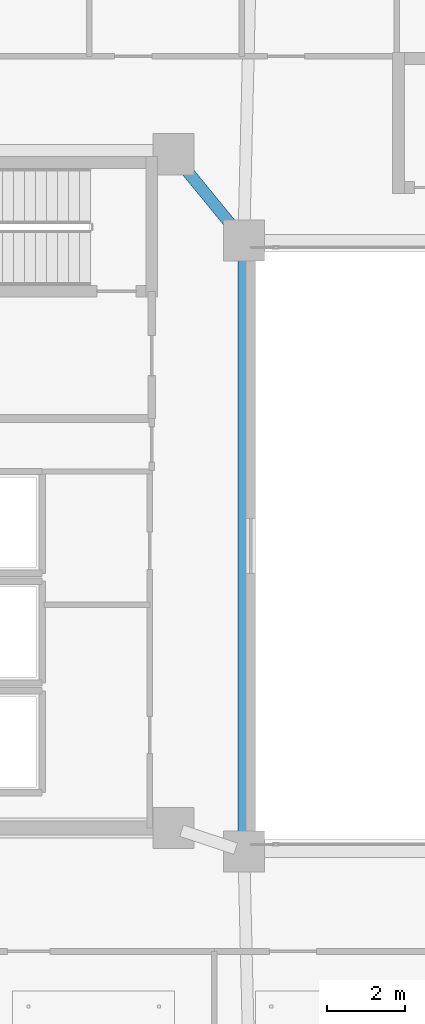
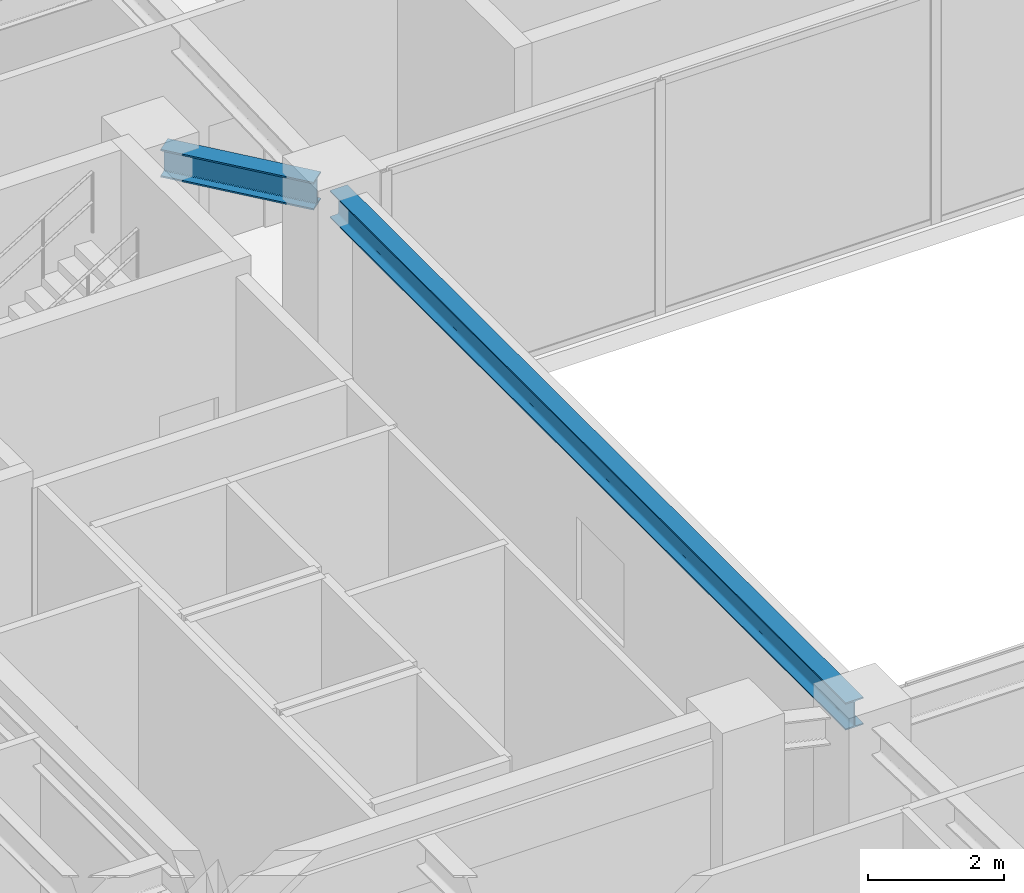
# One storey, part 9 of 33: 2 beams.
"""IFC4 building model written with IfcOpenShell, lengths in metres."""

from ifc_helpers import new_model, si_unit, direction, frame, origin, origin_2d, place, context, subcontext, project, spatial, i_section, extrude, material, material_profile, profile_set, type_object, element, save


model = new_model("IFC4")

# Units and contexts
model_context = context("Model", 3, precision=1e-05, world=origin(), true_north=direction((0.0, 1.0)))
body_context = subcontext(model_context, "Body", "Model", "MODEL_VIEW")
ifc_project = project(units=[si_unit("LENGTHUNIT", "METRE"), si_unit("AREAUNIT", "SQUARE_METRE"), si_unit("VOLUMEUNIT", "CUBIC_METRE"), si_unit("PLANEANGLEUNIT", "RADIAN"), si_unit("MASSUNIT", "GRAM", prefix="KILO")], contexts=[model_context])

# Site, building, storey
site_placement = place(None, origin())
site = spatial("IfcSite", under=ifc_project, at=site_placement, CompositionType="ELEMENT")
building_placement = place(site_placement, origin())
building = spatial("IfcBuilding", under=site, at=building_placement, Name="Tarnavaz Court Tower", CompositionType="ELEMENT")
storey_placement = place(building_placement, frame((0.0, 0.0, 172.800048828125)))
storey = spatial("IfcBuildingStorey", under=building, at=storey_placement, Name="L47", CompositionType="ELEMENT", Elevation=172.800048828125)

# Beams
ifc_material = material(Name="Steel S355", Category="steel")
ifc_material_profile_1 = material_profile(ifc_material, i_section(OverallWidth=0.300048828125, OverallDepth=0.5, WebThickness=0.014404296875, FlangeThickness=0.028076171875, FilletRadius=0.027099609375, at=origin_2d()), Name="HEB 500")
ifc_profile_set_1 = profile_set([ifc_material_profile_1], Name="Steel S355")
beam_type_1 = type_object("IfcBeamType", Name="BM-G-HEB500", PredefinedType="USERDEFINED", material=ifc_profile_set_1)
beam_1_placement = place(storey_placement, frame((-9.460693359375, 9.82958984375, 3.949951171875), z_axis=(0.633282058357, -0.773921077735, 0.0), x_axis=(0.773921077735, 0.633282058357, 0.0)))
element("IfcBeam", 1, at=beam_1_placement, inside=storey, type_object=beam_type_1, Name="L47 Beam IN-CW-NI-IW-NW", ObjectType="GIRDER", PredefinedType="USERDEFINED", context=body_context, shape_type="SweptSolid", body=[
    extrude(i_section(OverallWidth=0.300048828125, OverallDepth=0.5, WebThickness=0.014404296875, FlangeThickness=0.028076171875, FilletRadius=0.027099609375, at=origin_2d()), origin(), (0.0, 0.0, 1.0), 2.402587890625),
])
ifc_material_profile_2 = material_profile(ifc_material, i_section(OverallWidth=0.300048828125, OverallDepth=0.489990234375, WebThickness=0.011962890625, FlangeThickness=0.02294921875, FilletRadius=0.027099609375, at=origin_2d()), Name="HEA 500")
ifc_profile_set_2 = profile_set([ifc_material_profile_2], Name="Steel S355")
beam_type_2 = type_object("IfcBeamType", Name="BM-SP-HEA500", PredefinedType="SPANDREL", material=ifc_profile_set_2)
beam_2_placement = place(storey_placement, frame((-7.800048828125, -7.580078125, 3.954833984375), z_axis=(0.0, 1.0, 0.0), x_axis=(-1.0, 0.0, 0.0)))
element("IfcBeam", 2, at=beam_2_placement, inside=storey, type_object=beam_type_2, Name="L47 Beam IN-IW-SW-IW-NW", PredefinedType="SPANDREL", context=body_context, shape_type="SweptSolid", body=[
    extrude(i_section(OverallWidth=0.300048828125, OverallDepth=0.489990234375, WebThickness=0.011962890625, FlangeThickness=0.02294921875, FilletRadius=0.027099609375, at=origin_2d()), origin(), (0.0, 0.0, 1.0), 15.16015625),
])

save(model, "model.ifc")
